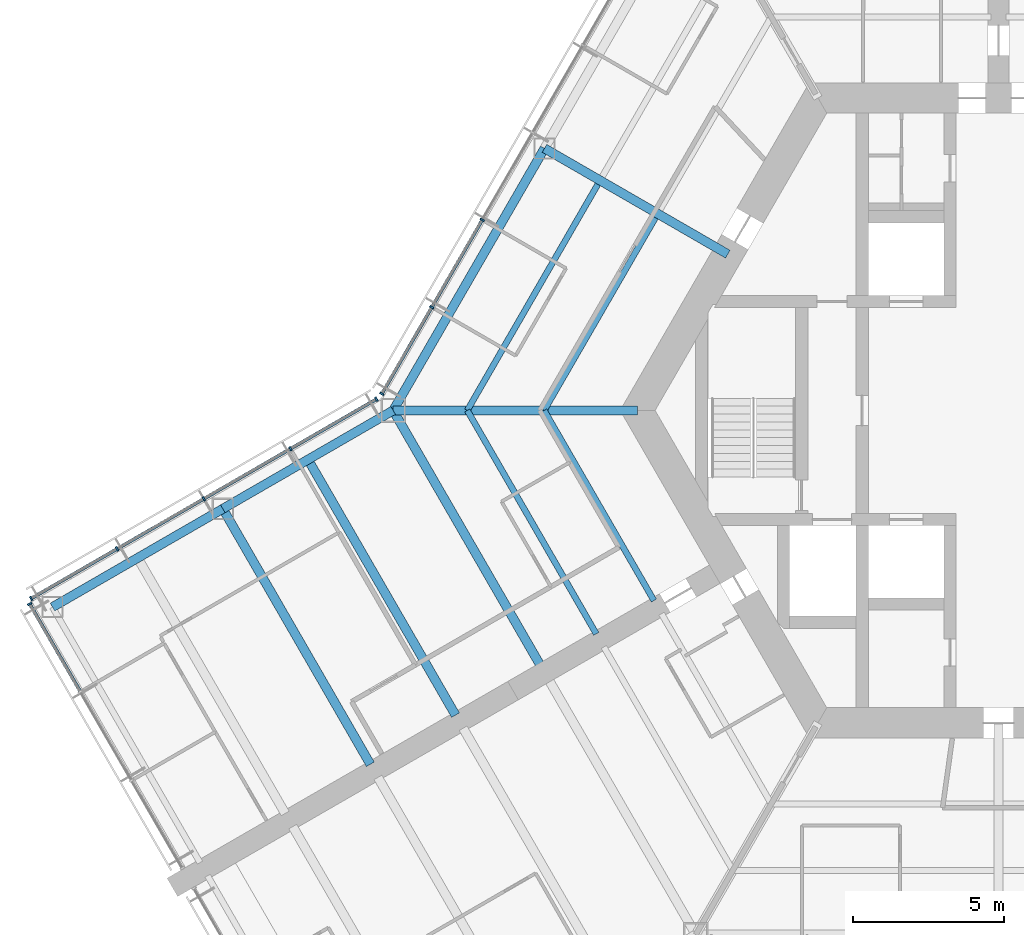
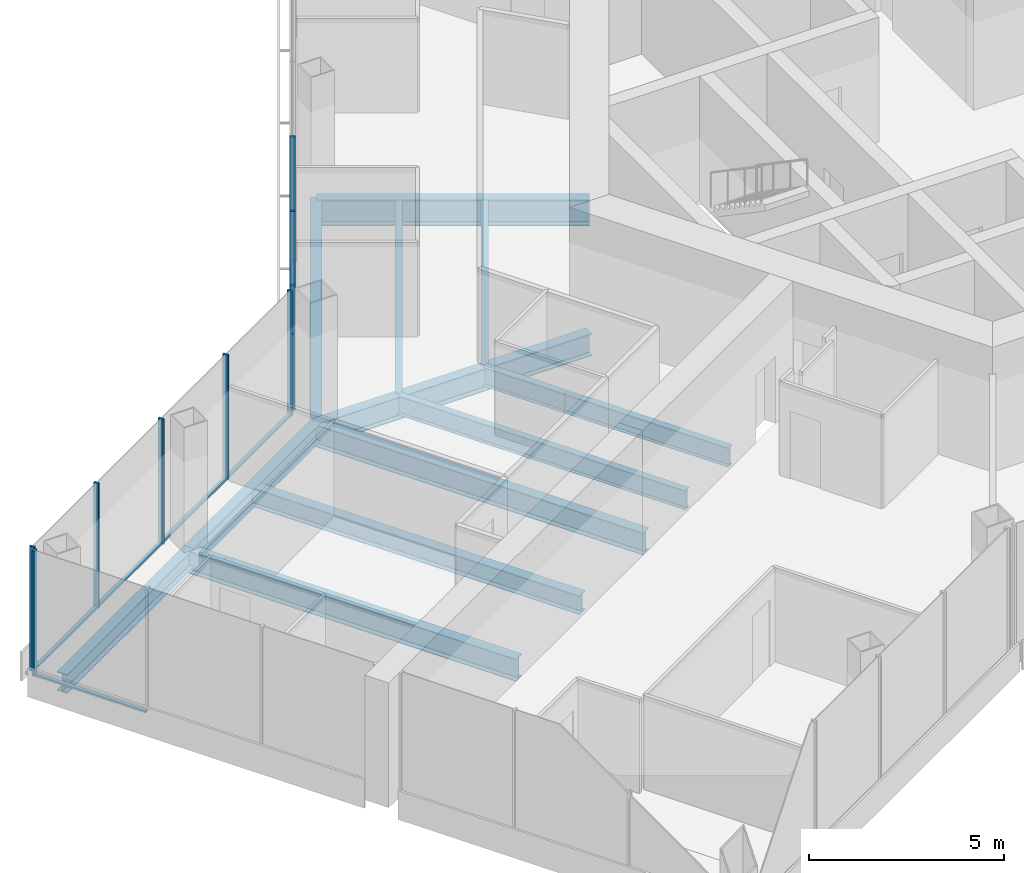
# One storey, part 4 of 19: 16 members, 12 beams, 3 elements without a shape of their own.
"""IFC4 building model written with IfcOpenShell, lengths in metres."""

from ifc_helpers import new_model, si_unit, direction, frame, origin, origin_2d, place, context, subcontext, project, spatial, rectangle, i_section, extrude, material, material_profile, profile_set, type_object, element, aggregate, save


model = new_model("IFC4")

# Units and contexts
model_context = context("Model", 3, precision=1e-05, world=origin(), true_north=direction((0.0, 1.0)))
body_context = subcontext(model_context, "Body", "Model", "MODEL_VIEW")
ifc_project = project(units=[si_unit("LENGTHUNIT", "METRE"), si_unit("AREAUNIT", "SQUARE_METRE"), si_unit("VOLUMEUNIT", "CUBIC_METRE"), si_unit("PLANEANGLEUNIT", "RADIAN"), si_unit("MASSUNIT", "GRAM", prefix="KILO")], contexts=[model_context])

# Site, building, storey
site_placement = place(None, origin())
site = spatial("IfcSite", under=ifc_project, at=site_placement, CompositionType="ELEMENT")
building_placement = place(site_placement, origin())
building = spatial("IfcBuilding", under=site, at=building_placement, Name="Kasaneha Research Tower", CompositionType="ELEMENT")
storey_placement = place(building_placement, frame((0.0, 0.0, 156.5)))
storey = spatial("IfcBuildingStorey", under=building, at=storey_placement, Name="L39", CompositionType="ELEMENT", Elevation=156.5)

# Beams
ifc_material_1 = material(Name="Steel SN490B", Category="steel")
ifc_material_profile_1 = material_profile(ifc_material_1, i_section(OverallWidth=0.199951171875, OverallDepth=0.60009765625, WebThickness=0.010986328125, FlangeThickness=0.01708984375, FilletRadius=0.012939453125, at=origin_2d()), Name="H-600x200x11x17")
ifc_profile_set_1 = profile_set([ifc_material_profile_1], Name="Steel SN490B")
beam_type_1 = type_object("IfcBeamType", Name="B1-3 secondary beam H-600x200x11x17", PredefinedType="JOIST", material=ifc_profile_set_1)
beam_1_placement = place(storey_placement, frame((-15.010986328125, 0.0, -0.449951171875), z_axis=(0.499994443168, 0.866028611999, 0.0), x_axis=(-0.866028611999, 0.499994443168, 0.0)))
element("IfcBeam", 1, at=beam_1_placement, inside=storey, type_object=beam_type_1, Name="Secondary beam RS150R1 L39", PredefinedType="JOIST", context=body_context, shape_type="SweptSolid", body=[
    extrude(i_section(OverallWidth=0.199951171875, OverallDepth=0.60009765625, WebThickness=0.010986328125, FlangeThickness=0.01708984375, FilletRadius=0.012939453125, at=origin_2d()), origin(), (0.0, 0.0, 1.0), 7.35546875),
])
beam_2_placement = place(storey_placement, frame((-17.551513671875, 0.0, -0.449951171875), z_axis=(0.5000050195, 0.866022505755, 0.0), x_axis=(-0.866022505755, 0.5000050195, 0.0)))
element("IfcBeam", 2, at=beam_2_placement, inside=storey, type_object=beam_type_1, Name="Secondary beam RS150R2 L39", PredefinedType="JOIST", context=body_context, shape_type="SweptSolid", body=[
    extrude(i_section(OverallWidth=0.199951171875, OverallDepth=0.60009765625, WebThickness=0.010986328125, FlangeThickness=0.01708984375, FilletRadius=0.012939453125, at=origin_2d()), origin(), (0.0, 0.0, 1.0), 8.6259765625),
])
beam_3_placement = place(storey_placement, frame((-15.010986328125, 0.0, -0.449951171875), z_axis=(0.499993340521, -0.866029248602, 0.0), x_axis=(0.866029248602, 0.499993340521, 0.0)))
element("IfcBeam", 3, at=beam_3_placement, inside=storey, type_object=beam_type_1, Name="Secondary beam RS210L1 L39", PredefinedType="JOIST", context=body_context, shape_type="SweptSolid", body=[
    extrude(i_section(OverallWidth=0.199951171875, OverallDepth=0.60009765625, WebThickness=0.010986328125, FlangeThickness=0.01708984375, FilletRadius=0.012939453125, at=origin_2d()), origin(), (0.0, 0.0, 1.0), 7.25537109375),
])
beam_4_placement = place(storey_placement, frame((-17.551513671875, 0.0, -0.449951171875), z_axis=(0.500004205306, -0.866022975836, 0.0), x_axis=(0.866022975836, 0.500004205306, 0.0)))
element("IfcBeam", 4, at=beam_4_placement, inside=storey, type_object=beam_type_1, Name="Secondary beam RS210L2 L39", PredefinedType="JOIST", context=body_context, shape_type="SweptSolid", body=[
    extrude(i_section(OverallWidth=0.199951171875, OverallDepth=0.60009765625, WebThickness=0.010986328125, FlangeThickness=0.01708984375, FilletRadius=0.012939453125, at=origin_2d()), origin(), (0.0, 0.0, 1.0), 8.52587890625),
])
ifc_material_2 = material(Name="Steel SN490B", Category="steel")
ifc_material_profile_2 = material_profile(ifc_material_2, i_section(OverallWidth=0.300048828125, OverallDepth=0.58203125, WebThickness=0.011962890625, FlangeThickness=0.01708984375, FilletRadius=0.012939453125, at=origin_2d()), Name="H-582x300x12x17")
ifc_profile_set_2 = profile_set([ifc_material_profile_2], Name="Steel SN490B")
beam_type_2 = type_object("IfcBeamType", Name="B2-3 secondary beam H-582x300x12x17", PredefinedType="JOIST", material=ifc_profile_set_2)
beam_5_placement = place(storey_placement, frame((-22.814697265625, -1.625, -0.44091796875), z_axis=(0.499995560238, -0.866027967067, 0.0), x_axis=(0.866027967067, 0.499995560238, 0.0)))
element("IfcBeam", 5, at=beam_5_placement, inside=storey, type_object=beam_type_2, Name="Secondary beam WBBP1 L39", PredefinedType="JOIST", context=body_context, shape_type="SweptSolid", body=[
    extrude(i_section(OverallWidth=0.300048828125, OverallDepth=0.58203125, WebThickness=0.011962890625, FlangeThickness=0.01708984375, FilletRadius=0.012939453125, at=origin_2d()), origin(), (0.0, 0.0, 1.0), 9.75),
])

# Curtain wall, members
ifc_material_3 = material(Name="Glass and aluminium", Category="aluminium")
curtain_wall_type = type_object("IfcCurtainWallType", Name="Mid-rise office curtain wall", PredefinedType="USERDEFINED", material=ifc_material_3)
curtain_wall_1_placement = place(storey_placement, origin())
curtain_wall_1 = element("IfcCurtainWall", 6, at=curtain_wall_1_placement, inside=storey, type_object=curtain_wall_type, Name="CW-O2 L39 run 08a", ObjectType="UNITISED CURTAIN WALL", PredefinedType="USERDEFINED")
ifc_material_4 = material(Name="Aluminium 6063-T6", Category="aluminium")
ifc_material_profile_3 = material_profile(ifc_material_4, rectangle(XDim=0.06005859375, YDim=0.14990234375, at=origin_2d()), Name="CW-O2 mullion 60x150")
ifc_profile_set_3 = profile_set([ifc_material_profile_3], Name="Aluminium 6063-T6")
member_type_1 = type_object("IfcMemberType", Name="CW-O2 mullion", PredefinedType="MULLION", material=ifc_profile_set_3)
member_1_placement = place(storey_placement, frame((-17.058349609375, 6.295166015625, 0.0), z_axis=(0.0, 0.0, 1.0), x_axis=(-0.499999979232, -0.866025415775, 0.0)))
member_1 = element("IfcMember", 7, at=member_1_placement, type_object=member_type_1, Name="CW-O2 mullion 5", PredefinedType="MULLION", context=body_context, shape_type="SweptSolid", body=[
    extrude(rectangle(XDim=0.06005859375, YDim=0.14990234375, at=origin_2d()), origin(), (0.0, 0.0, 1.0), 3.89990234375),
])
member_2_placement = place(storey_placement, frame((-18.723876953125, 3.410400390625, 0.0), z_axis=(0.0, 0.0, 1.0), x_axis=(-0.499999979232, -0.866025415775, 0.0)))
member_2 = element("IfcMember", 8, at=member_2_placement, type_object=member_type_1, Name="CW-O2 mullion 6", PredefinedType="MULLION", context=body_context, shape_type="SweptSolid", body=[
    extrude(rectangle(XDim=0.06005859375, YDim=0.14990234375, at=origin_2d()), origin(), (0.0, 0.0, 1.0), 3.89990234375),
])
member_3_placement = place(storey_placement, frame((-20.374267578125, 0.5517578125, 0.0), z_axis=(0.0, 0.0, 1.0), x_axis=(-0.499999979232, -0.866025415775, 0.0)))
member_3 = element("IfcMember", 9, at=member_3_placement, type_object=member_type_1, Name="CW-O2 mullion 7", PredefinedType="MULLION", context=body_context, shape_type="SweptSolid", body=[
    extrude(rectangle(XDim=0.06005859375, YDim=0.14990234375, at=origin_2d()), origin(), (0.0, 0.0, 1.0), 3.89990234375),
])

curtain_wall_2_placement = place(storey_placement, origin())
curtain_wall_2 = element("IfcCurtainWall", 10, at=curtain_wall_2_placement, inside=storey, type_object=curtain_wall_type, Name="CW-O2 L39 run 09a", ObjectType="UNITISED CURTAIN WALL", PredefinedType="USERDEFINED")
member_4_placement = place(storey_placement, frame((-20.5517578125, 0.374267578125, 0.0), z_axis=(0.0, 0.0, 1.0), x_axis=(-0.866025411464, -0.499999986699, 0.0)))
member_4 = element("IfcMember", 11, at=member_4_placement, type_object=member_type_1, Name="CW-O2 mullion 1", PredefinedType="MULLION", context=body_context, shape_type="SweptSolid", body=[
    extrude(rectangle(XDim=0.06005859375, YDim=0.14990234375, at=origin_2d()), origin(), (0.0, 0.0, 1.0), 3.89990234375),
])
member_5_placement = place(storey_placement, frame((-23.39208984375, -1.265625, 0.0), z_axis=(0.0, 0.0, 1.0), x_axis=(-0.866025411464, -0.499999986699, 0.0)))
member_5 = element("IfcMember", 12, at=member_5_placement, type_object=member_type_1, Name="CW-O2 mullion 2", PredefinedType="MULLION", context=body_context, shape_type="SweptSolid", body=[
    extrude(rectangle(XDim=0.06005859375, YDim=0.14990234375, at=origin_2d()), origin(), (0.0, 0.0, 1.0), 3.89990234375),
])
member_6_placement = place(storey_placement, frame((-26.258544921875, -2.920654296875, 0.0), z_axis=(0.0, 0.0, 1.0), x_axis=(-0.866025411464, -0.499999986699, 0.0)))
member_6 = element("IfcMember", 13, at=member_6_placement, type_object=member_type_1, Name="CW-O2 mullion 3", PredefinedType="MULLION", context=body_context, shape_type="SweptSolid", body=[
    extrude(rectangle(XDim=0.06005859375, YDim=0.14990234375, at=origin_2d()), origin(), (0.0, 0.0, 1.0), 3.89990234375),
])
member_7_placement = place(storey_placement, frame((-29.125, -4.575439453125, 0.0), z_axis=(0.0, 0.0, 1.0), x_axis=(-0.866025411464, -0.499999986699, 0.0)))
member_7 = element("IfcMember", 14, at=member_7_placement, type_object=member_type_1, Name="CW-O2 mullion 4", PredefinedType="MULLION", context=body_context, shape_type="SweptSolid", body=[
    extrude(rectangle(XDim=0.06005859375, YDim=0.14990234375, at=origin_2d()), origin(), (0.0, 0.0, 1.0), 3.89990234375),
])
member_8_placement = place(storey_placement, frame((-31.96533203125, -6.21533203125, 0.0), z_axis=(0.0, 0.0, 1.0), x_axis=(-0.866025411464, -0.499999986699, 0.0)))
member_8 = element("IfcMember", 15, at=member_8_placement, type_object=member_type_1, Name="CW-O2 mullion 5", PredefinedType="MULLION", context=body_context, shape_type="SweptSolid", body=[
    extrude(rectangle(XDim=0.06005859375, YDim=0.14990234375, at=origin_2d()), origin(), (0.0, 0.0, 1.0), 3.89990234375),
])

# Curtain wall, member
curtain_wall_3_placement = place(storey_placement, origin())
curtain_wall_3 = element("IfcCurtainWall", 16, at=curtain_wall_3_placement, inside=storey, type_object=curtain_wall_type, Name="CW-O2 L39 run 10a", ObjectType="UNITISED CURTAIN WALL", PredefinedType="USERDEFINED")
member_9_placement = place(storey_placement, frame((-32.012939453125, -6.39306640625, 0.0), z_axis=(0.0, 0.0, 1.0), x_axis=(0.500000011442, -0.866025397178, 0.0)))
member_9 = element("IfcMember", 17, at=member_9_placement, type_object=member_type_1, Name="CW-O2 mullion 1", PredefinedType="MULLION", context=body_context, shape_type="SweptSolid", body=[
    extrude(rectangle(XDim=0.06005859375, YDim=0.14990234375, at=origin_2d()), origin(), (0.0, 0.0, 1.0), 3.89990234375),
])

# Member
ifc_material_5 = material(Name="Aluminium 6063-T6", Category="aluminium")
ifc_material_profile_4 = material_profile(ifc_material_5, rectangle(XDim=0.110107421875, YDim=0.06005859375, at=origin_2d()), Name="CW-O2 transom 110x60")
ifc_profile_set_4 = profile_set([ifc_material_profile_4], Name="Aluminium 6063-T6")
member_type_2 = type_object("IfcMemberType", Name="CW-O2 transom", PredefinedType="USERDEFINED", material=ifc_profile_set_4)
member_10_placement = place(storey_placement, frame((-17.0732421875, 6.269287109375, 0.030029296875), z_axis=(-0.500000270186, -0.866025247793, 0.0), x_axis=(0.866025247793, -0.500000270186, 0.0)))
member_10 = element("IfcMember", 18, at=member_10_placement, type_object=member_type_2, Name="CW-O2 transom 5", ObjectType="TRANSOM", PredefinedType="USERDEFINED", context=body_context, shape_type="SweptSolid", body=[
    extrude(rectangle(XDim=0.110107421875, YDim=0.06005859375, at=origin_2d()), origin(), (0.0, 0.0, 1.0), 3.27099609375),
])

member_11_placement = place(storey_placement, frame((-18.73876953125, 3.384521484375, 0.030029296875), z_axis=(-0.499987643696, -0.866032537582, 0.0), x_axis=(0.866032537582, -0.499987643696, 0.0)))
member_11 = element("IfcMember", 19, at=member_11_placement, type_object=member_type_2, Name="CW-O2 transom 6", ObjectType="TRANSOM", PredefinedType="USERDEFINED", context=body_context, shape_type="SweptSolid", body=[
    extrude(rectangle(XDim=0.110107421875, YDim=0.06005859375, at=origin_2d()), origin(), (0.0, 0.0, 1.0), 3.24072265625),
])

aggregate(curtain_wall_1, [member_1, member_2, member_3, member_10, member_11])

member_12_placement = place(storey_placement, frame((-20.577880859375, 0.359130859375, 0.030029296875), z_axis=(-0.866022692473, -0.500004696101, 0.0), x_axis=(0.500004696101, -0.866022692473, 0.0)))
member_12 = element("IfcMember", 20, at=member_12_placement, type_object=member_type_2, Name="CW-O2 transom 1", ObjectType="TRANSOM", PredefinedType="USERDEFINED", context=body_context, shape_type="SweptSolid", body=[
    extrude(rectangle(XDim=0.110107421875, YDim=0.06005859375, at=origin_2d()), origin(), (0.0, 0.0, 1.0), 3.2197265625),
])

member_13_placement = place(storey_placement, frame((-23.418212890625, -1.28076171875, 0.030029296875), z_axis=(-0.86604797581, -0.499960902066, 0.0), x_axis=(0.499960902066, -0.86604797581, 0.0)))
member_13 = element("IfcMember", 21, at=member_13_placement, type_object=member_type_2, Name="CW-O2 transom 2", ObjectType="TRANSOM", PredefinedType="USERDEFINED", context=body_context, shape_type="SweptSolid", body=[
    extrude(rectangle(XDim=0.110107421875, YDim=0.06005859375, at=origin_2d()), origin(), (0.0, 0.0, 1.0), 3.249755859375),
])

member_14_placement = place(storey_placement, frame((-26.28466796875, -2.935546875, 0.030029296875), z_axis=(-0.86599666273, -0.500049777664, 0.0), x_axis=(0.500049777664, -0.86599666273, 0.0)))
member_14 = element("IfcMember", 22, at=member_14_placement, type_object=member_type_2, Name="CW-O2 transom 3", ObjectType="TRANSOM", PredefinedType="USERDEFINED", context=body_context, shape_type="SweptSolid", body=[
    extrude(rectangle(XDim=0.110107421875, YDim=0.06005859375, at=origin_2d()), origin(), (0.0, 0.0, 1.0), 3.249755859375),
])

member_15_placement = place(storey_placement, frame((-29.15087890625, -4.590576171875, 0.030029296875), z_axis=(-0.866041647767, -0.499971863542, 0.0), x_axis=(0.499971863542, -0.866041647767, 0.0)))
member_15 = element("IfcMember", 23, at=member_15_placement, type_object=member_type_2, Name="CW-O2 transom 4", ObjectType="TRANSOM", PredefinedType="USERDEFINED", context=body_context, shape_type="SweptSolid", body=[
    extrude(rectangle(XDim=0.110107421875, YDim=0.06005859375, at=origin_2d()), origin(), (0.0, 0.0, 1.0), 3.219970703125),
])

aggregate(curtain_wall_2, [member_4, member_5, member_6, member_7, member_8, member_12, member_13, member_14, member_15])

member_16_placement = place(storey_placement, frame((-31.998046875, -6.4189453125, 0.030029296875), z_axis=(0.500021914551, -0.866012751043, 0.0), x_axis=(0.866012751043, 0.500021914551, 0.0)))
member_16 = element("IfcMember", 24, at=member_16_placement, type_object=member_type_2, Name="CW-O2 transom 1", ObjectType="TRANSOM", PredefinedType="USERDEFINED", context=body_context, shape_type="SweptSolid", body=[
    extrude(rectangle(XDim=0.110107421875, YDim=0.06005859375, at=origin_2d()), origin(), (0.0, 0.0, 1.0), 3.293212890625),
])

aggregate(curtain_wall_3, [member_9, member_16])

# Beams
ifc_material_6 = material(Name="Steel SN490B", Category="steel")
ifc_material_profile_5 = material_profile(ifc_material_6, i_section(OverallWidth=0.300048828125, OverallDepth=0.699951171875, WebThickness=0.012939453125, FlangeThickness=0.02392578125, FilletRadius=0.01806640625, at=origin_2d()), Name="H-700x300x13x24")
ifc_profile_set_5 = profile_set([ifc_material_profile_5], Name="Steel SN490B")
beam_type_3 = type_object("IfcBeamType", Name="G1-3 radial girder H-700x300x13x24", PredefinedType="BEAM", material=ifc_profile_set_5)
beam_6_placement = place(storey_placement, frame((-11.92236328125, 0.0, -0.5), z_axis=(-1.0, 0.0, 0.0), x_axis=(0.0, -1.0, 0.0)))
element("IfcBeam", 25, at=beam_6_placement, inside=storey, type_object=beam_type_3, Name="Radial girder RV180 L39", PredefinedType="BEAM", context=body_context, shape_type="SweptSolid", body=[
    extrude(i_section(OverallWidth=0.300048828125, OverallDepth=0.699951171875, WebThickness=0.012939453125, FlangeThickness=0.02392578125, FilletRadius=0.01806640625, at=origin_2d()), origin(), (0.0, 0.0, 1.0), 8.07763671875),
])
ifc_material_7 = material(Name="Steel SN490B", Category="steel")
ifc_material_profile_6 = material_profile(ifc_material_7, i_section(OverallWidth=0.300048828125, OverallDepth=0.800048828125, WebThickness=0.013916015625, FlangeThickness=0.02587890625, FilletRadius=0.01806640625, at=origin_2d()), Name="H-800x300x14x26")
ifc_profile_set_6 = profile_set([ifc_material_profile_6], Name="Steel SN490B")
beam_type_4 = type_object("IfcBeamType", Name="G2-3 radial girder H-800x300x14x26", PredefinedType="BEAM", material=ifc_profile_set_6)
beam_7_placement = place(storey_placement, frame((-8.941650390625, 5.16259765625, -0.550048828125), z_axis=(-0.866039713508, 0.499975214012, 0.0), x_axis=(-0.499975214012, -0.866039713508, 0.0)))
element("IfcBeam", 26, at=beam_7_placement, inside=storey, type_object=beam_type_4, Name="Radial girder RM150 L39", PredefinedType="BEAM", context=body_context, shape_type="SweptSolid", body=[
    extrude(i_section(OverallWidth=0.300048828125, OverallDepth=0.800048828125, WebThickness=0.013916015625, FlangeThickness=0.02587890625, FilletRadius=0.01806640625, at=origin_2d()), origin(), (0.0, 0.0, 1.0), 6.995361328125),
])
ifc_material_8 = material(Name="Steel SN490B", Category="steel")
ifc_material_profile_7 = material_profile(ifc_material_8, i_section(OverallWidth=0.300048828125, OverallDepth=0.69189453125, WebThickness=0.012939453125, FlangeThickness=0.02001953125, FilletRadius=0.01806640625, at=origin_2d()), Name="H-692x300x13x20")
ifc_profile_set_7 = profile_set([ifc_material_profile_7], Name="Steel SN490B")
beam_type_5 = type_object("IfcBeamType", Name="G3-3 plate edge girder H-692x300x13x20", PredefinedType="BEAM", material=ifc_profile_set_7)
beam_8_placement = place(storey_placement, frame((-20.0, 0.0, -0.49609375), z_axis=(0.499995560238, -0.866027967067, 0.0), x_axis=(0.866027967067, 0.499995560238, 0.0)))
element("IfcBeam", 27, at=beam_8_placement, inside=storey, type_object=beam_type_5, Name="Plate edge girder PEBP L39", PredefinedType="BEAM", context=body_context, shape_type="SweptSolid", body=[
    extrude(i_section(OverallWidth=0.300048828125, OverallDepth=0.69189453125, WebThickness=0.012939453125, FlangeThickness=0.02001953125, FilletRadius=0.01806640625, at=origin_2d()), origin(), (0.0, 0.0, 1.0), 9.75),
])
ifc_material_9 = material(Name="Steel SN490B", Category="steel")
ifc_material_profile_8 = material_profile(ifc_material_9, i_section(OverallWidth=0.300048828125, OverallDepth=0.699951171875, WebThickness=0.012939453125, FlangeThickness=0.02392578125, FilletRadius=0.01806640625, at=origin_2d()), Name="H-700x300x13x24")
ifc_profile_set_8 = profile_set([ifc_material_profile_8], Name="Steel SN490B")
beam_type_6 = type_object("IfcBeamType", Name="G4-3 wing girder H-700x300x13x24", PredefinedType="BEAM", material=ifc_profile_set_8)
beam_9_placement = place(storey_placement, frame((-25.629150390625, -3.25, -0.5), z_axis=(0.499995560238, -0.866027967067, 0.0), x_axis=(0.866027967067, 0.499995560238, 0.0)))
element("IfcBeam", 28, at=beam_9_placement, inside=storey, type_object=beam_type_6, Name="Wing girder WGBP L39", PredefinedType="BEAM", context=body_context, shape_type="SweptSolid", body=[
    extrude(i_section(OverallWidth=0.300048828125, OverallDepth=0.699951171875, WebThickness=0.012939453125, FlangeThickness=0.02392578125, FilletRadius=0.01806640625, at=origin_2d()), origin(), (0.0, 0.0, 1.0), 9.75),
])
ifc_material_10 = material(Name="Steel SN490B", Category="steel")
ifc_material_profile_9 = material_profile(ifc_material_10, i_section(OverallWidth=0.300048828125, OverallDepth=0.69189453125, WebThickness=0.012939453125, FlangeThickness=0.02001953125, FilletRadius=0.01806640625, at=origin_2d()), Name="H-692x300x13x20")
ifc_profile_set_9 = profile_set([ifc_material_profile_9], Name="Steel SN490B")
beam_type_7 = type_object("IfcBeamType", Name="SB1-3 spandrel beam H-692x300x13x20", PredefinedType="SPANDREL", material=ifc_profile_set_9)
beam_10_placement = place(storey_placement, frame((-20.0, 0.0, -0.49609375), z_axis=(0.500004234368, 0.866022959057, 0.0), x_axis=(-0.866022959057, 0.500004234368, 0.0)))
element("IfcBeam", 29, at=beam_10_placement, inside=storey, type_object=beam_type_7, Name="Spandrel beam SR150R L39", PredefinedType="SPANDREL", context=body_context, shape_type="SweptSolid", body=[
    extrude(i_section(OverallWidth=0.300048828125, OverallDepth=0.69189453125, WebThickness=0.012939453125, FlangeThickness=0.02001953125, FilletRadius=0.01806640625, at=origin_2d()), origin(), (0.0, 0.0, 1.0), 10.0),
])
ifc_material_11 = material(Name="Steel SN490B", Category="steel")
ifc_material_profile_10 = material_profile(ifc_material_11, i_section(OverallWidth=0.300048828125, OverallDepth=0.58203125, WebThickness=0.011962890625, FlangeThickness=0.01708984375, FilletRadius=0.012939453125, at=origin_2d()), Name="H-582x300x12x17")
ifc_profile_set_10 = profile_set([ifc_material_profile_10], Name="Steel SN490B")
beam_type_8 = type_object("IfcBeamType", Name="SB2-3 spandrel beam H-582x300x12x17", PredefinedType="SPANDREL", material=ifc_profile_set_10)
for number, where, z_axis, x_axis, name in (
    (30, (-20.0, 0.0, -0.44091796875), (-0.866024837091, -0.50000098154, 0.0), (0.50000098154, -0.866024837091, 0.0), "Spandrel beam WSBP1 L39"),
    (31, (-25.629150390625, -3.25, -0.44091796875), (-0.866024837091, -0.50000098154, 0.0), (0.50000098154, -0.866024837091, 0.0), "Spandrel beam WSBP2 L39"),
):
    element("IfcBeam", number, at=place(storey_placement, frame(where, z_axis=z_axis, x_axis=x_axis)), inside=storey, type_object=beam_type_8, Name=name, PredefinedType="SPANDREL", context=body_context, shape_type="SweptSolid", body=[
        extrude(i_section(OverallWidth=0.300048828125, OverallDepth=0.58203125, WebThickness=0.011962890625, FlangeThickness=0.01708984375, FilletRadius=0.012939453125, at=origin_2d()), origin(), (0.0, 0.0, 1.0), 6.5),
    ])

save(model, "model.ifc")
